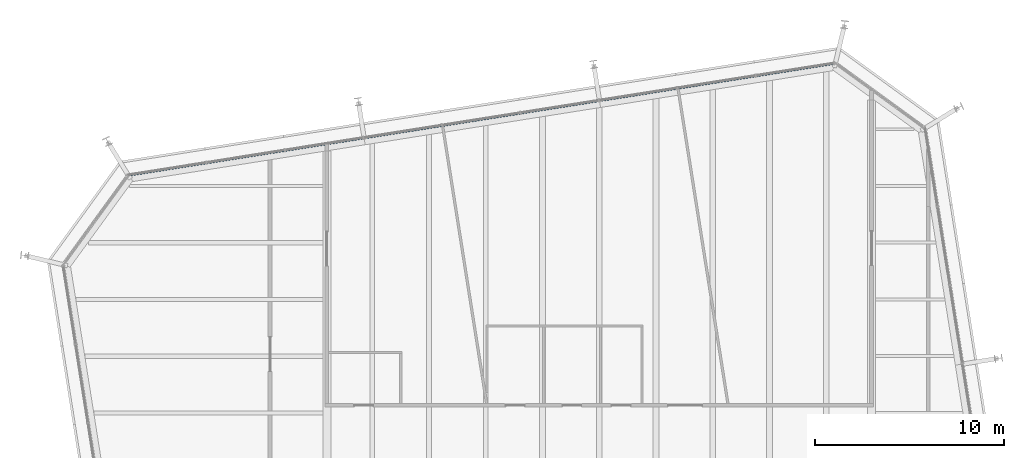
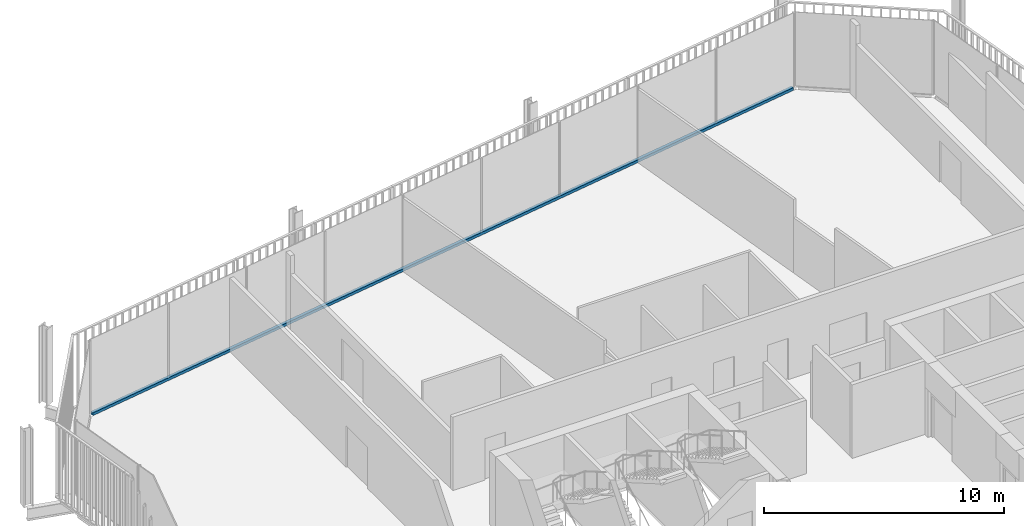
# One storey, part 13 of 20: 1 member, 1 element without a shape of its own.
"""IFC4 building model written with IfcOpenShell, lengths in metres."""

from ifc_helpers import new_model, si_unit, direction, frame, origin, origin_2d, place, context, subcontext, project, spatial, rectangle, extrude, material, layer, layer_set, material_profile, profile_set, type_object, element, aggregate, save


model = new_model("IFC4")

# Units and contexts
model_context = context("Model", 3, precision=1e-05, world=origin(), true_north=direction((0.0, 1.0)))
body_context = subcontext(model_context, "Body", "Model", "MODEL_VIEW")
ifc_project = project(units=[si_unit("LENGTHUNIT", "METRE"), si_unit("AREAUNIT", "SQUARE_METRE"), si_unit("VOLUMEUNIT", "CUBIC_METRE"), si_unit("PLANEANGLEUNIT", "RADIAN"), si_unit("MASSUNIT", "GRAM", prefix="KILO")], contexts=[model_context])

# Site, building, storey
site_placement = place(None, origin())
site = spatial("IfcSite", under=ifc_project, at=site_placement, CompositionType="ELEMENT")
building_placement = place(site_placement, origin())
building = spatial("IfcBuilding", under=site, at=building_placement, Name="Millrace Tower", CompositionType="ELEMENT")
storey_placement = place(building_placement, frame((0.0, 0.0, 208.60009765625)))
storey = spatial("IfcBuildingStorey", under=building, at=storey_placement, Name="L47", CompositionType="ELEMENT", Elevation=208.60009765625)

# Curtain wall, member
ifc_material_1 = material(Name="Aluminium and glass", Category="aluminium")
ifc_layer = layer(ifc_material_1, 0.14990234375)
ifc_layer_set = layer_set([ifc_layer], Name="Aluminium and glass")
curtain_wall_type = type_object("IfcCurtainWallType", Name="CW-1 office vision curtain wall", PredefinedType="NOTDEFINED", material=ifc_layer_set)
curtain_wall_placement = place(storey_placement, origin())
curtain_wall = element("IfcCurtainWall", 1, at=curtain_wall_placement, inside=storey, type_object=curtain_wall_type, Name="Curtain wall D-F06 L47", PredefinedType="NOTDEFINED")
ifc_material_2 = material(Name="Aluminium", Category="aluminium")
ifc_material_profile = material_profile(ifc_material_2, rectangle(XDim=0.14990234375, YDim=0.139892578125, at=origin_2d()))
ifc_profile_set = profile_set([ifc_material_profile], Name="Aluminium")
member_type = type_object("IfcMemberType", Name="CW-1 office vision curtain wall transom", PredefinedType="USERDEFINED", material=ifc_profile_set)
member_placement = place(storey_placement, frame((12.35888671875, 30.48193359375, 0.06982421875), z_axis=(-0.987687829698, -0.156437690685, 0.0), x_axis=(0.156437690685, -0.987687829698, 0.0)))
member = element("IfcMember", 2, at=member_placement, type_object=member_type, Name="CW1 transom D-F06.1", ObjectType="TRANSOM", PredefinedType="USERDEFINED", context=body_context, shape_type="SweptSolid", body=[
    extrude(rectangle(XDim=0.14990234375, YDim=0.139892578125, at=origin_2d()), origin(), (0.0, 0.0, 1.0), 37.60009765625),
])
aggregate(curtain_wall, [member])

save(model, "model.ifc")
